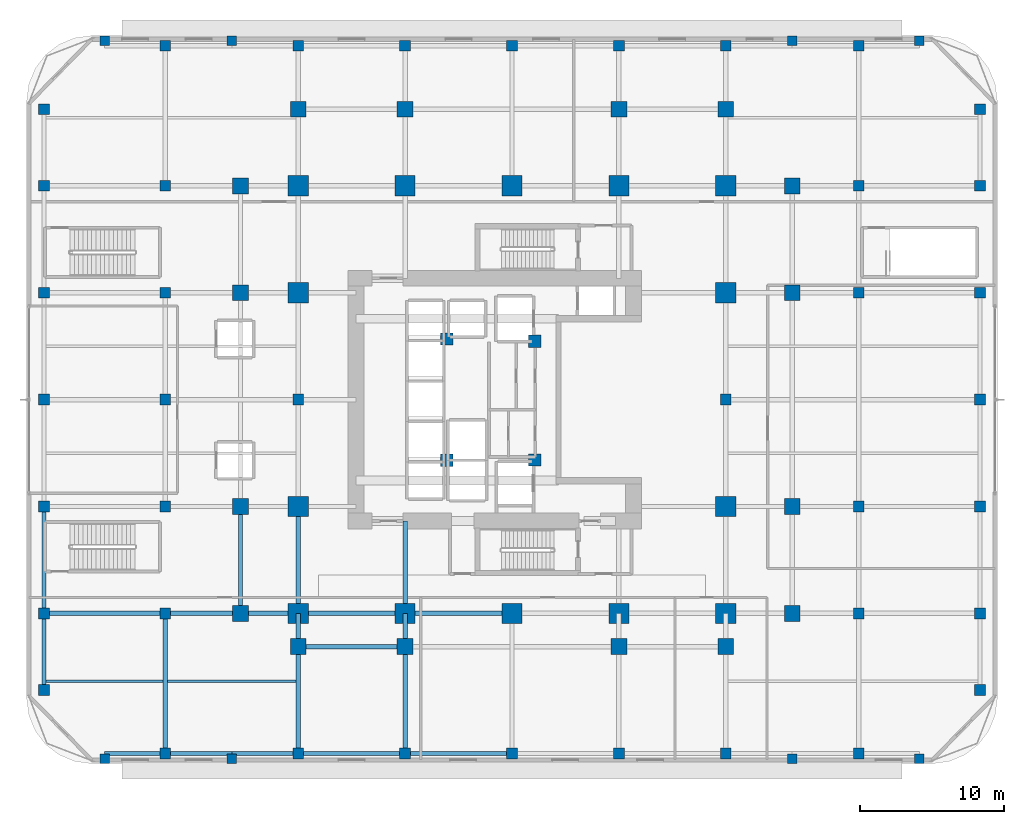
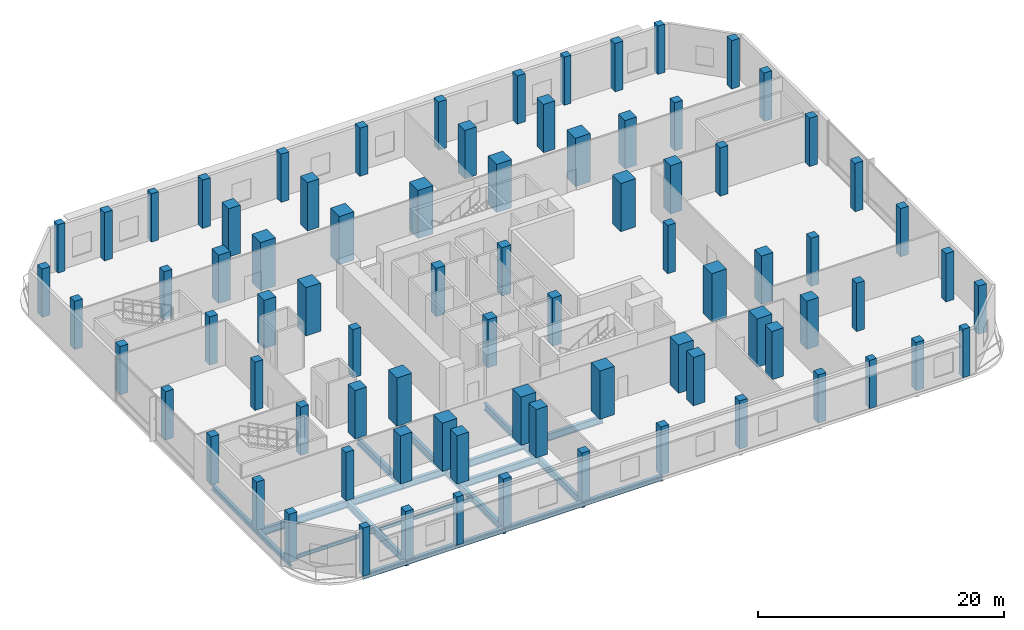
# One storey, part 1 of 19: 81 columns, 23 beams.
"""IFC4 building model written with IfcOpenShell, lengths in metres."""

import ifcopenshell
import ifcopenshell.guid

model = None  # the IFC model being written
_history = None  # IfcOwnerHistory: only IFC2X3 demands one
_inside = {}  # id of a spatial element -> (the spatial element, [elements in it])
_under = {}  # id of a project, library or spatial element -> (it, [spatial elements below it])
_declared = {}  # id of a project -> (the project, [libraries it declares])
_typed = {}  # id of a type object -> (the type object, [elements of that type])
_made_of = {}  # id of a material, layer set ... -> (it, [elements and type objects made of it])


def new_model(schema):
    """Start an empty IFC model of exactly this schema.

    Asked for "IFC4X3", IfcOpenShell would pick the latest addendum, in which some entities
    have other attributes; the version numbers below select the first issue.
    IFC2X3 requires an IfcOwnerHistory on every rooted entity: one is made here for all.
    """
    global model, _history
    if schema == "IFC4X3":
        model = ifcopenshell.file(schema_version=(4, 3, 0, 0))
    else:
        model = ifcopenshell.file(schema=schema)
    _inside.clear()
    _under.clear()
    _declared.clear()
    _typed.clear()
    _made_of.clear()
    _history = None
    if model.schema == "IFC2X3":
        org = make("IfcOrganization", Name="unknown")
        user = make(
            "IfcPersonAndOrganization",
            ThePerson=make("IfcPerson", FamilyName="unknown"),
            TheOrganization=org,
        )
        app = make(
            "IfcApplication",
            ApplicationDeveloper=org,
            Version="unknown",
            ApplicationFullName="unknown",
            ApplicationIdentifier="unknown",
        )
        _history = make(
            "IfcOwnerHistory",
            OwningUser=user,
            OwningApplication=app,
            ChangeAction="ADDED",
            CreationDate=0,
        )
    return model


def make(cls, **values):
    """One entity of the class cls with the attributes given. An attribute that is None is left unset."""
    return model.create_entity(
        cls, **{name: value for name, value in values.items() if value is not None}
    )


def rooted(cls, **values):
    """An entity with a GlobalId (a new one), such as an element, a storey or a relation."""
    return make(cls, GlobalId=ifcopenshell.guid.new(), OwnerHistory=_history, **values)


def si_unit(unit_type, name, prefix=None):
    """IfcSIUnit, for example si_unit("LENGTHUNIT", "METRE", prefix="MILLI")."""
    return make("IfcSIUnit", UnitType=unit_type, Prefix=prefix, Name=name)


def assignment(units):
    """IfcUnitAssignment: the units of a project."""
    return None if units is None else make("IfcUnitAssignment", Units=units)


def point(xyz):
    """IfcCartesianPoint."""
    return None if xyz is None else make("IfcCartesianPoint", Coordinates=xyz)


def direction(xyz):
    """IfcDirection."""
    return None if xyz is None else make("IfcDirection", DirectionRatios=xyz)


def frame(location, z_axis=None, x_axis=None):
    """IfcAxis2Placement3D, a coordinate frame: its origin and axes. An axis left out is left unset."""
    return make(
        "IfcAxis2Placement3D",
        Location=point(location),
        Axis=direction(z_axis),
        RefDirection=direction(x_axis),
    )


def frame_2d(location, x_axis=None):
    """IfcAxis2Placement2D, a coordinate frame in the plane: its origin and x axis."""
    return make(
        "IfcAxis2Placement2D", Location=point(location), RefDirection=direction(x_axis)
    )


def origin():
    """The frame at (0, 0, 0) with its axes left unset."""
    return frame((0.0, 0.0, 0.0))


def origin_2d():
    """The frame at (0, 0) in the plane with its x axis left unset."""
    return frame_2d((0.0, 0.0))


def place(relative_to, where):
    """IfcLocalPlacement: puts the frame where relative to a parent placement (None: the world)."""
    return make(
        "IfcLocalPlacement", PlacementRelTo=relative_to, RelativePlacement=where
    )


def context(
    kind, dimensions, precision=None, world=None, true_north=None, identifier=None
):
    """IfcGeometricRepresentationContext, for example the 3D "Model" context."""
    return make(
        "IfcGeometricRepresentationContext",
        ContextIdentifier=identifier,
        ContextType=kind,
        CoordinateSpaceDimension=dimensions,
        Precision=precision,
        WorldCoordinateSystem=world,
        TrueNorth=true_north,
    )


def subcontext(parent, identifier, kind, view, scale=None):
    """IfcGeometricRepresentationSubContext, for example "Body" below "Model"."""
    return make(
        "IfcGeometricRepresentationSubContext",
        ContextIdentifier=identifier,
        ContextType=kind,
        ParentContext=parent,
        TargetScale=scale,
        TargetView=view,
    )


def project(units=None, contexts=None):
    """IfcProject with its units and contexts."""
    return rooted(
        "IfcProject",
        Name="project",
        RepresentationContexts=contexts,
        UnitsInContext=assignment(units),
    )


def spatial(cls, under=None, at=None, **own):
    """A site, building, storey or space (cls), placed at a placement, below another one or the project."""
    s = rooted(cls, ObjectPlacement=at, **own)
    if under is not None:
        _under.setdefault(under.id(), (under, []))[1].append(s)
    return s


def profile(cls, at=None, kind="AREA", **sizes):
    """A parametric profile (cls). Its sizes go by their IFC names, for example OverallWidth=200.0."""
    return make(cls, ProfileType=kind, Position=at, **sizes)


def rectangle(**sizes):
    """IfcRectangleProfileDef."""
    return profile("IfcRectangleProfileDef", **sizes)


def i_section(**sizes):
    """IfcIShapeProfileDef."""
    return profile("IfcIShapeProfileDef", **sizes)


def extrude(swept, where, along, depth):
    """IfcExtrudedAreaSolid: the profile swept, set in the frame where, extruded along a direction by depth."""
    return make(
        "IfcExtrudedAreaSolid",
        SweptArea=swept,
        Position=where,
        ExtrudedDirection=direction(along),
        Depth=depth,
    )


def shape(context_of_items, identifier, shape_type, items):
    """IfcShapeRepresentation: the items that make up one representation, for example the "Body"."""
    return make(
        "IfcShapeRepresentation",
        ContextOfItems=context_of_items,
        RepresentationIdentifier=identifier,
        RepresentationType=shape_type,
        Items=items,
    )


def material(Name=None, Category=None):
    """IfcMaterial."""
    return make("IfcMaterial", Name=Name, Category=Category)


def material_profile(
    of_material, cross_section, Name=None, Category=None, Priority=None
):
    """IfcMaterialProfile: a cross section and its material."""
    return make(
        "IfcMaterialProfile",
        Name=Name,
        Material=of_material,
        Profile=cross_section,
        Priority=Priority,
        Category=Category,
    )


def profile_set(profiles, Name=None, composite=None):
    """IfcMaterialProfileSet."""
    return make(
        "IfcMaterialProfileSet",
        Name=Name,
        MaterialProfiles=profiles,
        CompositeProfile=composite,
    )


def made_of(thing, what):
    """Note that an element or type object is made of a material, layer set ...; save() writes the relation."""
    if what is not None:
        _made_of.setdefault(what.id(), (what, []))[1].append(thing)
    return thing


def type_object(cls, material=None, **own):
    """A type object (cls), such as IfcWallType, which elements share."""
    return made_of(rooted(cls, **own), material)


def element(
    cls,
    number,
    at=None,
    inside=None,
    cuts=None,
    type_object=None,
    material=None,
    context=None,
    identifier="Body",
    shape_type=None,
    held_by="IfcProductDefinitionShape",
    body=None,
    shapes=None,
    **own,
):
    """One element of the class cls, such as IfcWall. Its Tag is "e" and its number.

    at: its placement. inside: the storey or other place that contains it. cuts: it is an
    opening in that element (IfcRelVoidsElement). A single representation is given by context,
    identifier, shape_type and body (its items); several are given by shapes. held_by: the class
    of the entity that holds the representations. save() writes the other relations.
    """
    e = rooted(cls, Tag="e%d" % number, ObjectPlacement=at, **own)
    if body is not None:
        shapes = [shape(context, identifier, shape_type, body)]
    if shapes is not None:
        e.Representation = make(held_by, Representations=shapes)
    if inside is not None:
        _inside.setdefault(inside.id(), (inside, []))[1].append(e)
    if cuts is not None:
        rooted(
            "IfcRelVoidsElement", RelatingBuildingElement=cuts, RelatedOpeningElement=e
        )
    if type_object is not None:
        _typed.setdefault(type_object.id(), (type_object, []))[1].append(e)
    return made_of(e, material)


def aggregate(whole, parts):
    """IfcRelAggregates: a whole, such as a stair, and the parts it consists of."""
    return rooted("IfcRelAggregates", RelatingObject=whole, RelatedObjects=parts)


def save(model, path):
    """Write the relations noted so far, then the file.

    IfcRelAggregates (storeys below a building ...), IfcRelContainedInSpatialStructure (elements
    in a storey), IfcRelDefinesByType, IfcRelAssociatesMaterial and IfcRelDeclares: one each for
    every whole, place, type object, material and project.
    """
    for whole, parts in _under.values():
        aggregate(whole, parts)
    for where, things in _inside.values():
        rooted(
            "IfcRelContainedInSpatialStructure",
            RelatedElements=things,
            RelatingStructure=where,
        )
    for kind, things in _typed.values():
        rooted("IfcRelDefinesByType", RelatedObjects=things, RelatingType=kind)
    for what, things in _made_of.values():
        rooted("IfcRelAssociatesMaterial", RelatedObjects=things, RelatingMaterial=what)
    for by, libraries in _declared.values():
        rooted("IfcRelDeclares", RelatingContext=by, RelatedDefinitions=libraries)
    model.write(path)


model = new_model("IFC4")

# Units and contexts
model_context = context("Model", 3, precision=1e-05, world=origin(), true_north=direction((0.0, 1.0)))
body_context = subcontext(model_context, "Body", "Model", "MODEL_VIEW")
ifc_project = project(units=[si_unit("LENGTHUNIT", "METRE"), si_unit("AREAUNIT", "SQUARE_METRE"), si_unit("VOLUMEUNIT", "CUBIC_METRE"), si_unit("PLANEANGLEUNIT", "RADIAN"), si_unit("MASSUNIT", "GRAM", prefix="KILO")], contexts=[model_context])

# Site, building, storey
site_placement = place(None, origin())
site = spatial("IfcSite", under=ifc_project, at=site_placement, CompositionType="ELEMENT")
building_placement = place(site_placement, origin())
building = spatial("IfcBuilding", under=site, at=building_placement, Name="Khorvyn Point Tower", CompositionType="ELEMENT")
storey_placement = place(building_placement, frame((0.0, 0.0, 21.60009765625)))
storey = spatial("IfcBuildingStorey", under=building, at=storey_placement, Name="L06", CompositionType="ELEMENT", Elevation=21.60009765625)

# Columns
ifc_material_1 = material(Name="Concrete C40/50", Category="concrete")
ifc_material_profile_1 = material_profile(ifc_material_1, rectangle(XDim=0.75, YDim=0.75, at=origin_2d()))
ifc_profile_set_1 = profile_set([ifc_material_profile_1], Name="Concrete C40/50 RC750x750")
column_type_1 = type_object("IfcColumnType", Name="Concrete C40/50 Column RC750x750", PredefinedType="COLUMN", material=ifc_profile_set_1)
for number, where, z_axis, x_axis, name in (
    (1, (-32.39990234375, -14.800048828125, 0.0), (0.0, 0.0, 1.0), (1.0, 0.0, 0.0), "PC-L06--324--148"),
    (2, (-32.39990234375, -7.39990234375, 0.0), (0.0, 0.0, 1.0), (1.0, 0.0, 0.0), "PC-L06--324--074"),
    (3, (-32.39990234375, 0.0, 0.0), (0.0, 0.0, 1.0), (1.0, 0.0, 0.0), "PC-L06--324-+000"),
    (4, (-32.39990234375, 7.39990234375, 0.0), (0.0, 0.0, 1.0), (1.0, 0.0, 0.0), "PC-L06--324-+074"),
    (5, (-32.39990234375, 14.800048828125, 0.0), (0.0, 0.0, 1.0), (1.0, 0.0, 0.0), "PC-L06--324-+148"),
    (6, (-24.0, -24.5, 0.0), (0.0, 0.0, 1.0), (1.0, 0.0, 0.0), "PC-L06--240--245"),
    (7, (-24.0, -14.800048828125, 0.0), (0.0, 0.0, 1.0), (1.0, 0.0, 0.0), "PC-L06--240--148"),
    (8, (-24.0, -7.39990234375, 0.0), (0.0, 0.0, 1.0), (1.0, 0.0, 0.0), "PC-L06--240--074"),
    (9, (-24.0, 0.0, 0.0), (0.0, 0.0, 1.0), (1.0, 0.0, 0.0), "PC-L06--240-+000"),
    (10, (-24.0, 7.39990234375, 0.0), (0.0, 0.0, 1.0), (1.0, 0.0, 0.0), "PC-L06--240-+074"),
    (11, (-24.0, 14.800048828125, 0.0), (0.0, 0.0, 1.0), (1.0, 0.0, 0.0), "PC-L06--240-+148"),
    (12, (-24.0, 24.5, 0.0), (0.0, 0.0, 1.0), (1.0, 0.0, 0.0), "PC-L06--240-+245"),
    (13, (-14.800048828125, -24.5, 0.0), (0.0, 0.0, 1.0), (1.0, 0.0, 0.0), "PC-L06--148--245"),
    (14, (-14.800048828125, 0.0, 0.0), (0.0, 0.0, 1.0), (1.0, 0.0, 0.0), "PC-L06--148-+000"),
    (15, (-14.800048828125, 24.5, 0.0), (0.0, 0.0, 1.0), (1.0, 0.0, 0.0), "PC-L06--148-+245"),
    (16, (-7.39990234375, -24.5, 0.0), (0.0, 0.0, 1.0), (1.0, 0.0, 0.0), "PC-L06--074--245"),
    (17, (-7.39990234375, 24.5, 0.0), (0.0, 0.0, 1.0), (1.0, 0.0, 0.0), "PC-L06--074-+245"),
    (18, (0.0, -24.5, 0.0), (0.0, 0.0, 1.0), (1.0, 0.0, 0.0), "PC-L06-+000--245"),
    (19, (0.0, 24.5, 0.0), (0.0, 0.0, 1.0), (1.0, 0.0, 0.0), "PC-L06-+000-+245"),
    (20, (7.39990234375, -24.5, 0.0), (0.0, 0.0, 1.0), (1.0, 0.0, 0.0), "PC-L06-+074--245"),
    (21, (7.39990234375, 24.5, 0.0), (0.0, 0.0, 1.0), (1.0, 0.0, 0.0), "PC-L06-+074-+245"),
    (22, (14.800048828125, -24.5, 0.0), (0.0, 0.0, 1.0), (1.0, 0.0, 0.0), "PC-L06-+148--245"),
    (23, (14.800048828125, 0.0, 0.0), (0.0, 0.0, 1.0), (1.0, 0.0, 0.0), "PC-L06-+148-+000"),
    (24, (14.800048828125, 24.5, 0.0), (0.0, 0.0, 1.0), (1.0, 0.0, 0.0), "PC-L06-+148-+245"),
    (25, (24.0, -24.5, 0.0), (0.0, 0.0, 1.0), (1.0, 0.0, 0.0), "PC-L06-+240--245"),
    (26, (24.0, -14.800048828125, 0.0), (0.0, 0.0, 1.0), (1.0, 0.0, 0.0), "PC-L06-+240--148"),
    (27, (24.0, -7.39990234375, 0.0), (0.0, 0.0, 1.0), (1.0, 0.0, 0.0), "PC-L06-+240--074"),
    (28, (24.0, 7.39990234375, 0.0), (0.0, 0.0, 1.0), (1.0, 0.0, 0.0), "PC-L06-+240-+074"),
    (29, (24.0, 14.800048828125, 0.0), (0.0, 0.0, 1.0), (1.0, 0.0, 0.0), "PC-L06-+240-+148"),
    (30, (24.0, 24.5, 0.0), (0.0, 0.0, 1.0), (1.0, 0.0, 0.0), "PC-L06-+240-+245"),
    (31, (32.39990234375, -14.800048828125, 0.0), (0.0, 0.0, 1.0), (1.0, 0.0, 0.0), "PC-L06-+324--148"),
    (32, (32.39990234375, -7.39990234375, 0.0), (0.0, 0.0, 1.0), (1.0, 0.0, 0.0), "PC-L06-+324--074"),
    (33, (32.39990234375, 0.0, 0.0), (0.0, 0.0, 1.0), (1.0, 0.0, 0.0), "PC-L06-+324-+000"),
    (34, (32.39990234375, 7.39990234375, 0.0), (0.0, 0.0, 1.0), (1.0, 0.0, 0.0), "PC-L06-+324-+074"),
    (35, (32.39990234375, 14.800048828125, 0.0), (0.0, 0.0, 1.0), (1.0, 0.0, 0.0), "PC-L06-+324-+148"),
    (36, (-32.39990234375, -20.10009765625, 0.0), (0.0, 0.0, 1.0), (1.0, 0.0, 0.0), "PCR-L06--32--20"),
    (37, (-32.39990234375, 20.10009765625, 0.0), (0.0, 0.0, 1.0), (1.0, 0.0, 0.0), "PCR-L06--32-+20"),
    (38, (32.39990234375, -20.10009765625, 0.0), (0.0, 0.0, 1.0), (1.0, 0.0, 0.0), "PCR-L06-+32--20"),
    (39, (32.39990234375, 20.10009765625, 0.0), (0.0, 0.0, 1.0), (1.0, 0.0, 0.0), "PCR-L06-+32-+20"),
):
    element("IfcColumn", number, at=place(storey_placement, frame(where, z_axis=z_axis, x_axis=x_axis)), inside=storey, type_object=column_type_1, Name=name, PredefinedType="COLUMN", context=body_context, shape_type="SweptSolid", body=[
        extrude(rectangle(XDim=0.75, YDim=0.75, at=origin_2d()), origin(), (0.0, 0.0, 1.0), 4.7998046875),
    ])
ifc_material_profile_2 = material_profile(ifc_material_1, rectangle(XDim=0.85009765625, YDim=0.85009765625, at=origin_2d()))
ifc_profile_set_2 = profile_set([ifc_material_profile_2], Name="Concrete C40/50 RC850x850")
column_type_2 = type_object("IfcColumnType", Name="Concrete C40/50 Column RC850x850", PredefinedType="COLUMN", material=ifc_profile_set_2)
for number, where, z_axis, x_axis, name in (
    (40, (-4.52001953125, -4.199951171875, 0.0), (0.0, 0.0, 1.0), (1.0, 0.0, 0.0), "L06 Crown Core Spine Column 1"),
    (41, (1.580078125, -4.179931640625, 0.0), (0.0, 0.0, 1.0), (1.0, 0.0, 0.0), "L06 Crown Core Spine Column 2"),
    (42, (1.580078125, 4.050048828125, 0.0), (0.0, 0.0, 1.0), (1.0, 0.0, 0.0), "L06 Crown Core Spine Column 3"),
    (43, (-4.52001953125, 4.199951171875, 0.0), (0.0, 0.0, 1.0), (1.0, 0.0, 0.0), "L06 Crown Core Spine Column 4"),
):
    element("IfcColumn", number, at=place(storey_placement, frame(where, z_axis=z_axis, x_axis=x_axis)), inside=storey, type_object=column_type_2, Name=name, PredefinedType="COLUMN", context=body_context, shape_type="SweptSolid", body=[
        extrude(rectangle(XDim=0.85009765625, YDim=0.85009765625, at=origin_2d()), origin(), (0.0, 0.0, 1.0), 4.7998046875),
    ])
ifc_material_profile_3 = material_profile(ifc_material_1, rectangle(XDim=0.64990234375, YDim=0.64990234375, at=origin_2d()))
ifc_profile_set_3 = profile_set([ifc_material_profile_3], Name="Concrete C40/50 RC650x650")
column_type_3 = type_object("IfcColumnType", Name="Concrete C40/50 Pilaster RC650x650", PredefinedType="PILASTER", material=ifc_profile_set_3)
for number, where, z_axis, x_axis, name in (
    (44, (-28.199951171875, -24.85009765625, 0.0), (0.0, 0.0, 1.0), (1.0, 0.0, 0.0), "L06 Colonnade Pilaster S"),
    (45, (-28.199951171875, 24.85009765625, 0.0), (0.0, 0.0, 1.0), (1.0, 0.0, 0.0), "L06 Colonnade Pilaster N"),
    (46, (-19.39990234375, -24.85009765625, 0.0), (0.0, 0.0, 1.0), (1.0, 0.0, 0.0), "L06 Colonnade Pilaster S"),
    (47, (-19.39990234375, 24.85009765625, 0.0), (0.0, 0.0, 1.0), (1.0, 0.0, 0.0), "L06 Colonnade Pilaster N"),
    (48, (19.39990234375, -24.85009765625, 0.0), (0.0, 0.0, 1.0), (1.0, 0.0, 0.0), "L06 Colonnade Pilaster S"),
    (49, (19.39990234375, 24.85009765625, 0.0), (0.0, 0.0, 1.0), (1.0, 0.0, 0.0), "L06 Colonnade Pilaster N"),
    (50, (28.199951171875, -24.85009765625, 0.0), (0.0, 0.0, 1.0), (1.0, 0.0, 0.0), "L06 Colonnade Pilaster S"),
    (51, (28.199951171875, 24.85009765625, 0.0), (0.0, 0.0, 1.0), (1.0, 0.0, 0.0), "L06 Colonnade Pilaster N"),
):
    element("IfcColumn", number, at=place(storey_placement, frame(where, z_axis=z_axis, x_axis=x_axis)), inside=storey, type_object=column_type_3, Name=name, PredefinedType="PILASTER", context=body_context, shape_type="SweptSolid", body=[
        extrude(rectangle(XDim=0.64990234375, YDim=0.64990234375, at=origin_2d()), origin(), (0.0, 0.0, 1.0), 4.7998046875),
    ])
ifc_material_2 = material(Name="Concrete C45/55", Category="concrete")
ifc_material_profile_4 = material_profile(ifc_material_2, rectangle(XDim=1.10009765625, YDim=1.10009765625, at=origin_2d()))
ifc_profile_set_4 = profile_set([ifc_material_profile_4], Name="Concrete C45/55 RC1100x1100")
column_type_4 = type_object("IfcColumnType", Name="Concrete C45/55 Column RC1100x1100", PredefinedType="COLUMN", material=ifc_profile_set_4)
for number, where, z_axis, x_axis, name in (
    (52, (-18.800048828125, -14.800048828125, 0.0), (0.0, 0.0, 1.0), (1.0, 0.0, 0.0), "L06 Intermediate Column ICW--14"),
    (53, (-18.800048828125, -7.39990234375, 0.0), (0.0, 0.0, 1.0), (1.0, 0.0, 0.0), "L06 Intermediate Column ICW--7"),
    (54, (-18.800048828125, 7.39990234375, 0.0), (0.0, 0.0, 1.0), (1.0, 0.0, 0.0), "L06 Intermediate Column ICW-7"),
    (55, (-18.800048828125, 14.800048828125, 0.0), (0.0, 0.0, 1.0), (1.0, 0.0, 0.0), "L06 Intermediate Column ICW-14"),
    (56, (19.39990234375, -14.800048828125, 0.0), (0.0, 0.0, 1.0), (1.0, 0.0, 0.0), "L06 Intermediate Column ICE--14"),
    (57, (19.39990234375, -7.39990234375, 0.0), (0.0, 0.0, 1.0), (1.0, 0.0, 0.0), "L06 Intermediate Column ICE--7"),
    (58, (19.39990234375, 7.39990234375, 0.0), (0.0, 0.0, 1.0), (1.0, 0.0, 0.0), "L06 Intermediate Column ICE-7"),
    (59, (19.39990234375, 14.800048828125, 0.0), (0.0, 0.0, 1.0), (1.0, 0.0, 0.0), "L06 Intermediate Column ICE-14"),
    (60, (-14.800048828125, -17.10009765625, 0.0), (0.0, 0.0, 1.0), (1.0, 0.0, 0.0), "L06 Intermediate Column ICS--14"),
    (61, (-7.39990234375, -17.10009765625, 0.0), (0.0, 0.0, 1.0), (1.0, 0.0, 0.0), "L06 Intermediate Column ICS--7"),
    (62, (7.39990234375, -17.10009765625, 0.0), (0.0, 0.0, 1.0), (1.0, 0.0, 0.0), "L06 Intermediate Column ICS-7"),
    (63, (14.800048828125, -17.10009765625, 0.0), (0.0, 0.0, 1.0), (1.0, 0.0, 0.0), "L06 Intermediate Column ICS-14"),
    (64, (-14.800048828125, 20.10009765625, 0.0), (0.0, 0.0, 1.0), (1.0, 0.0, 0.0), "L06 Intermediate Column ICN--14"),
    (65, (-7.39990234375, 20.10009765625, 0.0), (0.0, 0.0, 1.0), (1.0, 0.0, 0.0), "L06 Intermediate Column ICN--7"),
    (66, (7.39990234375, 20.10009765625, 0.0), (0.0, 0.0, 1.0), (1.0, 0.0, 0.0), "L06 Intermediate Column ICN-7"),
    (67, (14.800048828125, 20.10009765625, 0.0), (0.0, 0.0, 1.0), (1.0, 0.0, 0.0), "L06 Intermediate Column ICN-14"),
):
    element("IfcColumn", number, at=place(storey_placement, frame(where, z_axis=z_axis, x_axis=x_axis)), inside=storey, type_object=column_type_4, Name=name, PredefinedType="COLUMN", context=body_context, shape_type="SweptSolid", body=[
        extrude(rectangle(XDim=1.10009765625, YDim=1.10009765625, at=origin_2d()), origin(), (0.0, 0.0, 1.0), 4.7998046875),
    ])
ifc_material_3 = material(Name="Concrete C50/60", Category="concrete")
ifc_material_profile_5 = material_profile(ifc_material_3, rectangle(XDim=1.39990234375, YDim=1.39990234375, at=origin_2d()))
ifc_profile_set_5 = profile_set([ifc_material_profile_5], Name="Concrete C50/60 RC1400x1400")
column_type_5 = type_object("IfcColumnType", Name="Concrete C50/60 Column RC1400x1400", PredefinedType="COLUMN", material=ifc_profile_set_5)
for number, where, z_axis, x_axis, name in (
    (68, (-14.800048828125, -14.800048828125, 0.0), (0.0, 0.0, 1.0), (1.0, 0.0, 0.0), "L06 Mega-Column MC-01"),
    (69, (-7.39990234375, -14.800048828125, 0.0), (0.0, 0.0, 1.0), (1.0, 0.0, 0.0), "L06 Mega-Column MC-02"),
    (70, (0.0, -14.800048828125, 0.0), (0.0, 0.0, 1.0), (1.0, 0.0, 0.0), "L06 Mega-Column MC-03"),
    (71, (7.39990234375, -14.800048828125, 0.0), (0.0, 0.0, 1.0), (1.0, 0.0, 0.0), "L06 Mega-Column MC-04"),
    (72, (14.800048828125, -14.800048828125, 0.0), (0.0, 0.0, 1.0), (1.0, 0.0, 0.0), "L06 Mega-Column MC-05"),
    (73, (-14.800048828125, 14.800048828125, 0.0), (0.0, 0.0, 1.0), (1.0, 0.0, 0.0), "L06 Mega-Column MC-06"),
    (74, (-7.39990234375, 14.800048828125, 0.0), (0.0, 0.0, 1.0), (1.0, 0.0, 0.0), "L06 Mega-Column MC-07"),
    (75, (0.0, 14.800048828125, 0.0), (0.0, 0.0, 1.0), (1.0, 0.0, 0.0), "L06 Mega-Column MC-08"),
    (76, (7.39990234375, 14.800048828125, 0.0), (0.0, 0.0, 1.0), (1.0, 0.0, 0.0), "L06 Mega-Column MC-09"),
    (77, (14.800048828125, 14.800048828125, 0.0), (0.0, 0.0, 1.0), (1.0, 0.0, 0.0), "L06 Mega-Column MC-10"),
    (78, (-14.800048828125, -7.39990234375, 0.0), (0.0, 0.0, 1.0), (1.0, 0.0, 0.0), "L06 Mega-Column MC-11"),
    (79, (-14.800048828125, 7.39990234375, 0.0), (0.0, 0.0, 1.0), (1.0, 0.0, 0.0), "L06 Mega-Column MC-12"),
    (80, (14.800048828125, -7.39990234375, 0.0), (0.0, 0.0, 1.0), (1.0, 0.0, 0.0), "L06 Mega-Column MC-13"),
    (81, (14.800048828125, 7.39990234375, 0.0), (0.0, 0.0, 1.0), (1.0, 0.0, 0.0), "L06 Mega-Column MC-14"),
):
    element("IfcColumn", number, at=place(storey_placement, frame(where, z_axis=z_axis, x_axis=x_axis)), inside=storey, type_object=column_type_5, Name=name, PredefinedType="COLUMN", context=body_context, shape_type="SweptSolid", body=[
        extrude(rectangle(XDim=1.39990234375, YDim=1.39990234375, at=origin_2d()), origin(), (0.0, 0.0, 1.0), 4.7998046875),
    ])

# Beams
ifc_material_4 = material(Name="Steel S355", Category="steel")
ifc_material_profile_6 = material_profile(ifc_material_4, i_section(OverallWidth=0.300048828125, OverallDepth=0.699951171875, WebThickness=0.012939453125, FlangeThickness=0.02392578125, at=origin_2d()))
ifc_profile_set_6 = profile_set([ifc_material_profile_6], Name="Steel S355 H700x300x13x24")
beam_type_1 = type_object("IfcBeamType", Name="Steel S355 Beam H700x300x13x24", PredefinedType="BEAM", material=ifc_profile_set_6)
beam_1_placement = place(storey_placement, frame((-32.39990234375, -14.800048828125, -0.590087890625), z_axis=(1.0, 0.0, 0.0), x_axis=(0.0, 1.0, 0.0)))
element("IfcBeam", 82, at=beam_1_placement, inside=storey, type_object=beam_type_1, Name="Beam", PredefinedType="BEAM", context=body_context, shape_type="SweptSolid", body=[
    extrude(i_section(OverallWidth=0.300048828125, OverallDepth=0.699951171875, WebThickness=0.012939453125, FlangeThickness=0.02392578125, at=origin_2d()), origin(), (0.0, 0.0, 1.0), 8.39990234375),
])
beam_2_placement = place(storey_placement, frame((-24.0, -14.800048828125, -0.590087890625), z_axis=(1.0, 0.0, 0.0), x_axis=(0.0, 1.0, 0.0)))
element("IfcBeam", 83, at=beam_2_placement, inside=storey, type_object=beam_type_1, Name="Beam", PredefinedType="BEAM", context=body_context, shape_type="SweptSolid", body=[
    extrude(i_section(OverallWidth=0.300048828125, OverallDepth=0.699951171875, WebThickness=0.012939453125, FlangeThickness=0.02392578125, at=origin_2d()), origin(), (0.0, 0.0, 1.0), 5.199951171875),
])
beam_3_placement = place(storey_placement, frame((-18.800048828125, -14.800048828125, -0.590087890625), z_axis=(1.0, 0.0, 0.0), x_axis=(0.0, 1.0, 0.0)))
element("IfcBeam", 84, at=beam_3_placement, inside=storey, type_object=beam_type_1, Name="Beam", PredefinedType="BEAM", context=body_context, shape_type="SweptSolid", body=[
    extrude(i_section(OverallWidth=0.300048828125, OverallDepth=0.699951171875, WebThickness=0.012939453125, FlangeThickness=0.02392578125, at=origin_2d()), origin(), (0.0, 0.0, 1.0), 4.0),
])
beam_4_placement = place(storey_placement, frame((-14.800048828125, -14.800048828125, -0.590087890625), z_axis=(1.0, 0.0, 0.0), x_axis=(0.0, 1.0, 0.0)))
element("IfcBeam", 85, at=beam_4_placement, inside=storey, type_object=beam_type_1, Name="Beam", PredefinedType="BEAM", context=body_context, shape_type="SweptSolid", body=[
    extrude(i_section(OverallWidth=0.300048828125, OverallDepth=0.699951171875, WebThickness=0.012939453125, FlangeThickness=0.02392578125, at=origin_2d()), origin(), (0.0, 0.0, 1.0), 7.400146484375),
])
beam_5_placement = place(storey_placement, frame((-7.39990234375, -14.800048828125, -0.590087890625), z_axis=(1.0, 0.0, 0.0), x_axis=(0.0, 1.0, 0.0)))
element("IfcBeam", 86, at=beam_5_placement, inside=storey, type_object=beam_type_1, Name="Beam", PredefinedType="BEAM", context=body_context, shape_type="SweptSolid", body=[
    extrude(i_section(OverallWidth=0.300048828125, OverallDepth=0.699951171875, WebThickness=0.012939453125, FlangeThickness=0.02392578125, at=origin_2d()), origin(), (0.0, 0.0, 1.0), 7.39990234375),
])
beam_6_placement = place(storey_placement, frame((-14.800048828125, -17.10009765625, -0.590087890625), z_axis=(1.0, 0.0, 0.0), x_axis=(0.0, 1.0, 0.0)))
element("IfcBeam", 87, at=beam_6_placement, inside=storey, type_object=beam_type_1, Name="Beam", PredefinedType="BEAM", context=body_context, shape_type="SweptSolid", body=[
    extrude(i_section(OverallWidth=0.300048828125, OverallDepth=0.699951171875, WebThickness=0.012939453125, FlangeThickness=0.02392578125, at=origin_2d()), origin(), (0.0, 0.0, 1.0), 7.400146484375),
])
beam_7_placement = place(storey_placement, frame((-24.0, -24.5, -0.590087890625), z_axis=(0.0, 1.0, 0.0), x_axis=(-1.0, 0.0, 0.0)))
element("IfcBeam", 88, at=beam_7_placement, inside=storey, type_object=beam_type_1, Name="Beam", PredefinedType="BEAM", context=body_context, shape_type="SweptSolid", body=[
    extrude(i_section(OverallWidth=0.300048828125, OverallDepth=0.699951171875, WebThickness=0.012939453125, FlangeThickness=0.02392578125, at=origin_2d()), origin(), (0.0, 0.0, 1.0), 9.699951171875),
])
beam_8_placement = place(storey_placement, frame((-14.800048828125, -24.5, -0.590087890625), z_axis=(0.0, 1.0, 0.0), x_axis=(-1.0, 0.0, 0.0)))
element("IfcBeam", 89, at=beam_8_placement, inside=storey, type_object=beam_type_1, Name="Beam", PredefinedType="BEAM", context=body_context, shape_type="SweptSolid", body=[
    extrude(i_section(OverallWidth=0.300048828125, OverallDepth=0.699951171875, WebThickness=0.012939453125, FlangeThickness=0.02392578125, at=origin_2d()), origin(), (0.0, 0.0, 1.0), 7.39990234375),
])
beam_9_placement = place(storey_placement, frame((-14.800048828125, -17.10009765625, -0.590087890625), z_axis=(0.0, 1.0, 0.0), x_axis=(-1.0, 0.0, 0.0)))
element("IfcBeam", 90, at=beam_9_placement, inside=storey, type_object=beam_type_1, Name="Beam", PredefinedType="BEAM", context=body_context, shape_type="SweptSolid", body=[
    extrude(i_section(OverallWidth=0.300048828125, OverallDepth=0.699951171875, WebThickness=0.012939453125, FlangeThickness=0.02392578125, at=origin_2d()), origin(), (0.0, 0.0, 1.0), 2.300048828125),
])
beam_10_placement = place(storey_placement, frame((-14.800048828125, -14.800048828125, -0.590087890625), z_axis=(0.0, 1.0, 0.0), x_axis=(-1.0, 0.0, 0.0)))
element("IfcBeam", 91, at=beam_10_placement, inside=storey, type_object=beam_type_1, Name="Beam", PredefinedType="BEAM", context=body_context, shape_type="SweptSolid", body=[
    extrude(i_section(OverallWidth=0.300048828125, OverallDepth=0.699951171875, WebThickness=0.012939453125, FlangeThickness=0.02392578125, at=origin_2d()), origin(), (0.0, 0.0, 1.0), 7.400146484375),
])
beam_11_placement = place(storey_placement, frame((-7.39990234375, -24.5, -0.590087890625), z_axis=(0.0, 1.0, 0.0), x_axis=(-1.0, 0.0, 0.0)))
element("IfcBeam", 92, at=beam_11_placement, inside=storey, type_object=beam_type_1, Name="Beam", PredefinedType="BEAM", context=body_context, shape_type="SweptSolid", body=[
    extrude(i_section(OverallWidth=0.300048828125, OverallDepth=0.699951171875, WebThickness=0.012939453125, FlangeThickness=0.02392578125, at=origin_2d()), origin(), (0.0, 0.0, 1.0), 7.39990234375),
])
beam_12_placement = place(storey_placement, frame((-7.39990234375, -17.10009765625, -0.590087890625), z_axis=(0.0, 1.0, 0.0), x_axis=(-1.0, 0.0, 0.0)))
element("IfcBeam", 93, at=beam_12_placement, inside=storey, type_object=beam_type_1, Name="Beam", PredefinedType="BEAM", context=body_context, shape_type="SweptSolid", body=[
    extrude(i_section(OverallWidth=0.300048828125, OverallDepth=0.699951171875, WebThickness=0.012939453125, FlangeThickness=0.02392578125, at=origin_2d()), origin(), (0.0, 0.0, 1.0), 2.300048828125),
])
beam_13_placement = place(storey_placement, frame((-7.39990234375, -14.800048828125, -0.590087890625), z_axis=(0.0, 1.0, 0.0), x_axis=(-1.0, 0.0, 0.0)))
element("IfcBeam", 94, at=beam_13_placement, inside=storey, type_object=beam_type_1, Name="Beam", PredefinedType="BEAM", context=body_context, shape_type="SweptSolid", body=[
    extrude(i_section(OverallWidth=0.300048828125, OverallDepth=0.699951171875, WebThickness=0.012939453125, FlangeThickness=0.02392578125, at=origin_2d()), origin(), (0.0, 0.0, 1.0), 6.400146484375),
])
beam_14_placement = place(storey_placement, frame((-18.800048828125, -14.800048828125, -0.590087890625), z_axis=(0.0, 1.0, 0.0), x_axis=(-1.0, 0.0, 0.0)))
element("IfcBeam", 95, at=beam_14_placement, inside=storey, type_object=beam_type_1, Name="Beam", PredefinedType="BEAM", context=body_context, shape_type="SweptSolid", body=[
    extrude(i_section(OverallWidth=0.300048828125, OverallDepth=0.699951171875, WebThickness=0.012939453125, FlangeThickness=0.02392578125, at=origin_2d()), origin(), (0.0, 0.0, 1.0), 7.400146484375),
])
ifc_material_profile_7 = material_profile(ifc_material_4, i_section(OverallWidth=0.175048828125, OverallDepth=0.35009765625, WebThickness=0.007080078125, FlangeThickness=0.010986328125, at=origin_2d()))
ifc_profile_set_7 = profile_set([ifc_material_profile_7], Name="Steel S355 H350x175x7x11")
beam_type_2 = type_object("IfcBeamType", Name="Steel S355 Joist H350x175x7x11", PredefinedType="JOIST", material=ifc_profile_set_7)
beam_15_placement = place(storey_placement, frame((-32.25, -19.5, -0.4150390625), z_axis=(1.0, 0.0, 0.0), x_axis=(0.0, 1.0, 0.0)))
element("IfcBeam", 96, at=beam_15_placement, inside=storey, type_object=beam_type_2, Name="Beam", PredefinedType="JOIST", context=body_context, shape_type="SweptSolid", body=[
    extrude(i_section(OverallWidth=0.175048828125, OverallDepth=0.35009765625, WebThickness=0.007080078125, FlangeThickness=0.010986328125, at=origin_2d()), origin(), (0.0, 0.0, 1.0), 8.10009765625),
])
beam_16_placement = place(storey_placement, frame((-23.85009765625, -19.5, -0.4150390625), z_axis=(1.0, 0.0, 0.0), x_axis=(0.0, 1.0, 0.0)))
element("IfcBeam", 97, at=beam_16_placement, inside=storey, type_object=beam_type_2, Name="Beam", PredefinedType="JOIST", context=body_context, shape_type="SweptSolid", body=[
    extrude(i_section(OverallWidth=0.175048828125, OverallDepth=0.35009765625, WebThickness=0.007080078125, FlangeThickness=0.010986328125, at=origin_2d()), origin(), (0.0, 0.0, 1.0), 8.900146484375),
])
ifc_material_profile_8 = material_profile(ifc_material_4, i_section(OverallWidth=0.300048828125, OverallDepth=0.488037109375, WebThickness=0.010986328125, FlangeThickness=0.01806640625, at=origin_2d()))
ifc_profile_set_8 = profile_set([ifc_material_profile_8], Name="Steel S355 H488x300x11x18")
beam_type_3 = type_object("IfcBeamType", Name="Steel S355 Spandrel H488x300x11x18", PredefinedType="SPANDREL", material=ifc_profile_set_8)
beam_17_placement = place(storey_placement, frame((-28.199951171875, -24.5, -0.484130859375), z_axis=(1.0, 0.0, 0.0), x_axis=(0.0, 1.0, 0.0)))
element("IfcBeam", 98, at=beam_17_placement, inside=storey, type_object=beam_type_3, Name="Beam", PredefinedType="SPANDREL", context=body_context, shape_type="SweptSolid", body=[
    extrude(i_section(OverallWidth=0.300048828125, OverallDepth=0.488037109375, WebThickness=0.010986328125, FlangeThickness=0.01806640625, at=origin_2d()), origin(), (0.0, 0.0, 1.0), 4.199951171875),
])
beam_18_placement = place(storey_placement, frame((-24.0, -24.5, -0.484130859375), z_axis=(1.0, 0.0, 0.0), x_axis=(0.0, 1.0, 0.0)))
element("IfcBeam", 99, at=beam_18_placement, inside=storey, type_object=beam_type_3, Name="Beam", PredefinedType="SPANDREL", context=body_context, shape_type="SweptSolid", body=[
    extrude(i_section(OverallWidth=0.300048828125, OverallDepth=0.488037109375, WebThickness=0.010986328125, FlangeThickness=0.01806640625, at=origin_2d()), origin(), (0.0, 0.0, 1.0), 4.60009765625),
])
beam_19_placement = place(storey_placement, frame((-19.39990234375, -24.5, -0.484130859375), z_axis=(1.0, 0.0, 0.0), x_axis=(0.0, 1.0, 0.0)))
element("IfcBeam", 100, at=beam_19_placement, inside=storey, type_object=beam_type_3, Name="Beam", PredefinedType="SPANDREL", context=body_context, shape_type="SweptSolid", body=[
    extrude(i_section(OverallWidth=0.300048828125, OverallDepth=0.488037109375, WebThickness=0.010986328125, FlangeThickness=0.01806640625, at=origin_2d()), origin(), (0.0, 0.0, 1.0), 4.599853515625),
])
beam_20_placement = place(storey_placement, frame((-14.800048828125, -24.5, -0.484130859375), z_axis=(1.0, 0.0, 0.0), x_axis=(0.0, 1.0, 0.0)))
element("IfcBeam", 101, at=beam_20_placement, inside=storey, type_object=beam_type_3, Name="Beam", PredefinedType="SPANDREL", context=body_context, shape_type="SweptSolid", body=[
    extrude(i_section(OverallWidth=0.300048828125, OverallDepth=0.488037109375, WebThickness=0.010986328125, FlangeThickness=0.01806640625, at=origin_2d()), origin(), (0.0, 0.0, 1.0), 7.400146484375),
])
beam_21_placement = place(storey_placement, frame((-7.39990234375, -24.5, -0.484130859375), z_axis=(1.0, 0.0, 0.0), x_axis=(0.0, 1.0, 0.0)))
element("IfcBeam", 102, at=beam_21_placement, inside=storey, type_object=beam_type_3, Name="Beam", PredefinedType="SPANDREL", context=body_context, shape_type="SweptSolid", body=[
    extrude(i_section(OverallWidth=0.300048828125, OverallDepth=0.488037109375, WebThickness=0.010986328125, FlangeThickness=0.01806640625, at=origin_2d()), origin(), (0.0, 0.0, 1.0), 7.39990234375),
])
beam_22_placement = place(storey_placement, frame((-32.39990234375, -20.10009765625, -0.484130859375), z_axis=(0.0, 1.0, 0.0), x_axis=(-1.0, 0.0, 0.0)))
element("IfcBeam", 103, at=beam_22_placement, inside=storey, type_object=beam_type_3, Name="Beam", PredefinedType="SPANDREL", context=body_context, shape_type="SweptSolid", body=[
    extrude(i_section(OverallWidth=0.300048828125, OverallDepth=0.488037109375, WebThickness=0.010986328125, FlangeThickness=0.01806640625, at=origin_2d()), origin(), (0.0, 0.0, 1.0), 5.300048828125),
])
beam_23_placement = place(storey_placement, frame((-32.39990234375, -14.800048828125, -0.484130859375), z_axis=(0.0, 1.0, 0.0), x_axis=(-1.0, 0.0, 0.0)))
element("IfcBeam", 104, at=beam_23_placement, inside=storey, type_object=beam_type_3, Name="Beam", PredefinedType="SPANDREL", context=body_context, shape_type="SweptSolid", body=[
    extrude(i_section(OverallWidth=0.300048828125, OverallDepth=0.488037109375, WebThickness=0.010986328125, FlangeThickness=0.01806640625, at=origin_2d()), origin(), (0.0, 0.0, 1.0), 7.400146484375),
])

save(model, "model.ifc")
